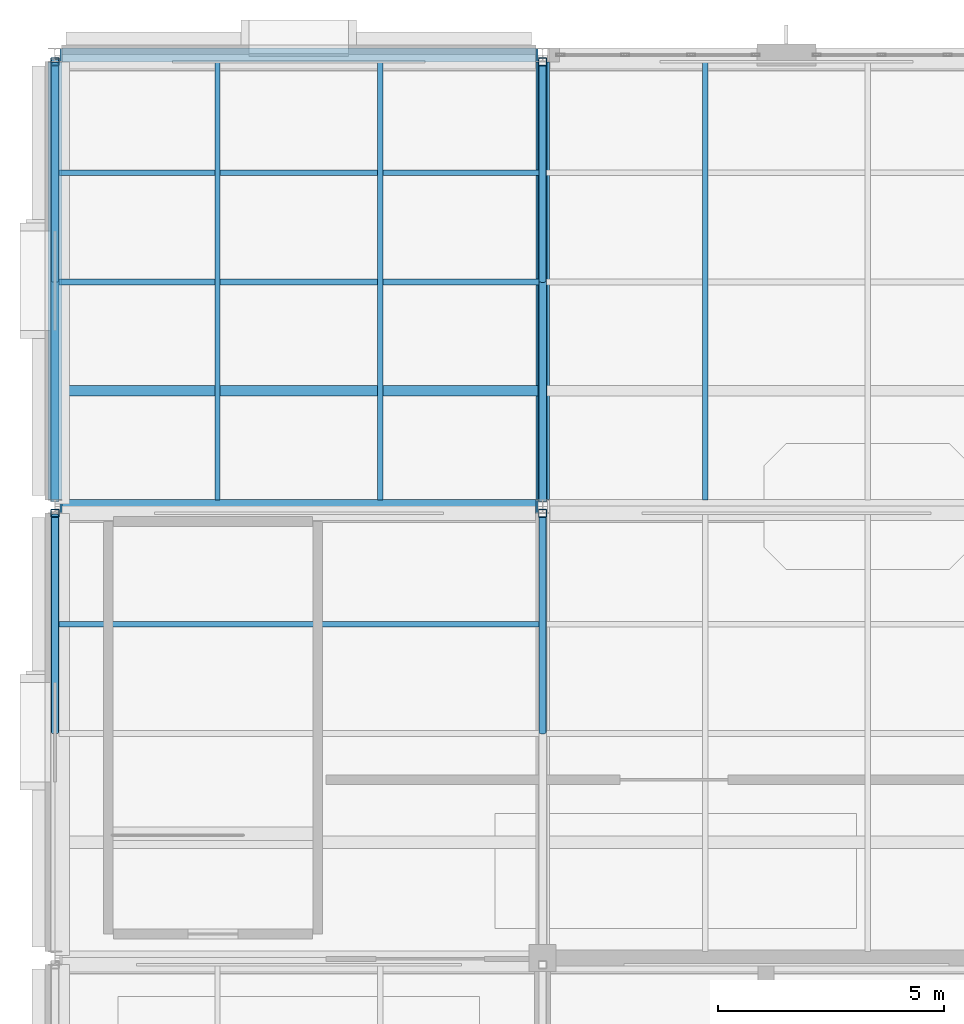
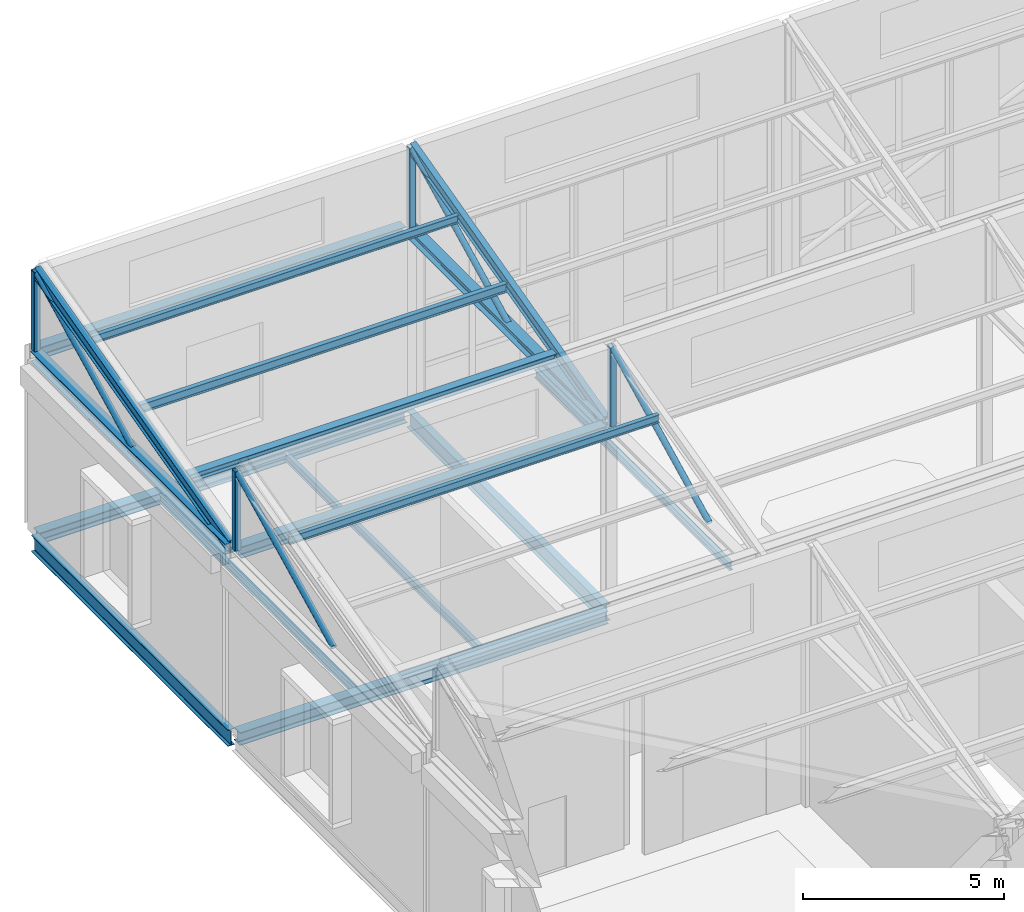
# One storey, part 10 of 49: 16 members, 9 beams.
"""IFC4 building model written with IfcOpenShell, lengths in metres."""

import ifcopenshell
import ifcopenshell.guid

model = None  # the IFC model being written
_history = None  # IfcOwnerHistory: only IFC2X3 demands one
_inside = {}  # id of a spatial element -> (the spatial element, [elements in it])
_under = {}  # id of a project, library or spatial element -> (it, [spatial elements below it])
_declared = {}  # id of a project -> (the project, [libraries it declares])
_typed = {}  # id of a type object -> (the type object, [elements of that type])
_made_of = {}  # id of a material, layer set ... -> (it, [elements and type objects made of it])


def new_model(schema):
    """Start an empty IFC model of exactly this schema.

    Asked for "IFC4X3", IfcOpenShell would pick the latest addendum, in which some entities
    have other attributes; the version numbers below select the first issue.
    IFC2X3 requires an IfcOwnerHistory on every rooted entity: one is made here for all.
    """
    global model, _history
    if schema == "IFC4X3":
        model = ifcopenshell.file(schema_version=(4, 3, 0, 0))
    else:
        model = ifcopenshell.file(schema=schema)
    _inside.clear()
    _under.clear()
    _declared.clear()
    _typed.clear()
    _made_of.clear()
    _history = None
    if model.schema == "IFC2X3":
        org = make("IfcOrganization", Name="unknown")
        user = make(
            "IfcPersonAndOrganization",
            ThePerson=make("IfcPerson", FamilyName="unknown"),
            TheOrganization=org,
        )
        app = make(
            "IfcApplication",
            ApplicationDeveloper=org,
            Version="unknown",
            ApplicationFullName="unknown",
            ApplicationIdentifier="unknown",
        )
        _history = make(
            "IfcOwnerHistory",
            OwningUser=user,
            OwningApplication=app,
            ChangeAction="ADDED",
            CreationDate=0,
        )
    return model


def make(cls, **values):
    """One entity of the class cls with the attributes given. An attribute that is None is left unset."""
    return model.create_entity(
        cls, **{name: value for name, value in values.items() if value is not None}
    )


def rooted(cls, **values):
    """An entity with a GlobalId (a new one), such as an element, a storey or a relation."""
    return make(cls, GlobalId=ifcopenshell.guid.new(), OwnerHistory=_history, **values)


def si_unit(unit_type, name, prefix=None):
    """IfcSIUnit, for example si_unit("LENGTHUNIT", "METRE", prefix="MILLI")."""
    return make("IfcSIUnit", UnitType=unit_type, Prefix=prefix, Name=name)


def assignment(units):
    """IfcUnitAssignment: the units of a project."""
    return None if units is None else make("IfcUnitAssignment", Units=units)


def point(xyz):
    """IfcCartesianPoint."""
    return None if xyz is None else make("IfcCartesianPoint", Coordinates=xyz)


def direction(xyz):
    """IfcDirection."""
    return None if xyz is None else make("IfcDirection", DirectionRatios=xyz)


def frame(location, z_axis=None, x_axis=None):
    """IfcAxis2Placement3D, a coordinate frame: its origin and axes. An axis left out is left unset."""
    return make(
        "IfcAxis2Placement3D",
        Location=point(location),
        Axis=direction(z_axis),
        RefDirection=direction(x_axis),
    )


def frame_2d(location, x_axis=None):
    """IfcAxis2Placement2D, a coordinate frame in the plane: its origin and x axis."""
    return make(
        "IfcAxis2Placement2D", Location=point(location), RefDirection=direction(x_axis)
    )


def origin():
    """The frame at (0, 0, 0) with its axes left unset."""
    return frame((0.0, 0.0, 0.0))


def origin_2d():
    """The frame at (0, 0) in the plane with its x axis left unset."""
    return frame_2d((0.0, 0.0))


def place(relative_to, where):
    """IfcLocalPlacement: puts the frame where relative to a parent placement (None: the world)."""
    return make(
        "IfcLocalPlacement", PlacementRelTo=relative_to, RelativePlacement=where
    )


def context(
    kind, dimensions, precision=None, world=None, true_north=None, identifier=None
):
    """IfcGeometricRepresentationContext, for example the 3D "Model" context."""
    return make(
        "IfcGeometricRepresentationContext",
        ContextIdentifier=identifier,
        ContextType=kind,
        CoordinateSpaceDimension=dimensions,
        Precision=precision,
        WorldCoordinateSystem=world,
        TrueNorth=true_north,
    )


def subcontext(parent, identifier, kind, view, scale=None):
    """IfcGeometricRepresentationSubContext, for example "Body" below "Model"."""
    return make(
        "IfcGeometricRepresentationSubContext",
        ContextIdentifier=identifier,
        ContextType=kind,
        ParentContext=parent,
        TargetScale=scale,
        TargetView=view,
    )


def project(units=None, contexts=None):
    """IfcProject with its units and contexts."""
    return rooted(
        "IfcProject",
        Name="project",
        RepresentationContexts=contexts,
        UnitsInContext=assignment(units),
    )


def spatial(cls, under=None, at=None, **own):
    """A site, building, storey or space (cls), placed at a placement, below another one or the project."""
    s = rooted(cls, ObjectPlacement=at, **own)
    if under is not None:
        _under.setdefault(under.id(), (under, []))[1].append(s)
    return s


def profile(cls, at=None, kind="AREA", **sizes):
    """A parametric profile (cls). Its sizes go by their IFC names, for example OverallWidth=200.0."""
    return make(cls, ProfileType=kind, Position=at, **sizes)


def hollow_rectangle(**sizes):
    """IfcRectangleHollowProfileDef."""
    return profile("IfcRectangleHollowProfileDef", **sizes)


def hollow_circle(**sizes):
    """IfcCircleHollowProfileDef."""
    return profile("IfcCircleHollowProfileDef", **sizes)


def i_section(**sizes):
    """IfcIShapeProfileDef."""
    return profile("IfcIShapeProfileDef", **sizes)


def extrude(swept, where, along, depth):
    """IfcExtrudedAreaSolid: the profile swept, set in the frame where, extruded along a direction by depth."""
    return make(
        "IfcExtrudedAreaSolid",
        SweptArea=swept,
        Position=where,
        ExtrudedDirection=direction(along),
        Depth=depth,
    )


def shape(context_of_items, identifier, shape_type, items):
    """IfcShapeRepresentation: the items that make up one representation, for example the "Body"."""
    return make(
        "IfcShapeRepresentation",
        ContextOfItems=context_of_items,
        RepresentationIdentifier=identifier,
        RepresentationType=shape_type,
        Items=items,
    )


def material(Name=None, Category=None):
    """IfcMaterial."""
    return make("IfcMaterial", Name=Name, Category=Category)


def material_profile(
    of_material, cross_section, Name=None, Category=None, Priority=None
):
    """IfcMaterialProfile: a cross section and its material."""
    return make(
        "IfcMaterialProfile",
        Name=Name,
        Material=of_material,
        Profile=cross_section,
        Priority=Priority,
        Category=Category,
    )


def profile_set(profiles, Name=None, composite=None):
    """IfcMaterialProfileSet."""
    return make(
        "IfcMaterialProfileSet",
        Name=Name,
        MaterialProfiles=profiles,
        CompositeProfile=composite,
    )


def made_of(thing, what):
    """Note that an element or type object is made of a material, layer set ...; save() writes the relation."""
    if what is not None:
        _made_of.setdefault(what.id(), (what, []))[1].append(thing)
    return thing


def type_object(cls, material=None, **own):
    """A type object (cls), such as IfcWallType, which elements share."""
    return made_of(rooted(cls, **own), material)


def element(
    cls,
    number,
    at=None,
    inside=None,
    cuts=None,
    type_object=None,
    material=None,
    context=None,
    identifier="Body",
    shape_type=None,
    held_by="IfcProductDefinitionShape",
    body=None,
    shapes=None,
    **own,
):
    """One element of the class cls, such as IfcWall. Its Tag is "e" and its number.

    at: its placement. inside: the storey or other place that contains it. cuts: it is an
    opening in that element (IfcRelVoidsElement). A single representation is given by context,
    identifier, shape_type and body (its items); several are given by shapes. held_by: the class
    of the entity that holds the representations. save() writes the other relations.
    """
    e = rooted(cls, Tag="e%d" % number, ObjectPlacement=at, **own)
    if body is not None:
        shapes = [shape(context, identifier, shape_type, body)]
    if shapes is not None:
        e.Representation = make(held_by, Representations=shapes)
    if inside is not None:
        _inside.setdefault(inside.id(), (inside, []))[1].append(e)
    if cuts is not None:
        rooted(
            "IfcRelVoidsElement", RelatingBuildingElement=cuts, RelatedOpeningElement=e
        )
    if type_object is not None:
        _typed.setdefault(type_object.id(), (type_object, []))[1].append(e)
    return made_of(e, material)


def aggregate(whole, parts):
    """IfcRelAggregates: a whole, such as a stair, and the parts it consists of."""
    return rooted("IfcRelAggregates", RelatingObject=whole, RelatedObjects=parts)


def save(model, path):
    """Write the relations noted so far, then the file.

    IfcRelAggregates (storeys below a building ...), IfcRelContainedInSpatialStructure (elements
    in a storey), IfcRelDefinesByType, IfcRelAssociatesMaterial and IfcRelDeclares: one each for
    every whole, place, type object, material and project.
    """
    for whole, parts in _under.values():
        aggregate(whole, parts)
    for where, things in _inside.values():
        rooted(
            "IfcRelContainedInSpatialStructure",
            RelatedElements=things,
            RelatingStructure=where,
        )
    for kind, things in _typed.values():
        rooted("IfcRelDefinesByType", RelatedObjects=things, RelatingType=kind)
    for what, things in _made_of.values():
        rooted("IfcRelAssociatesMaterial", RelatedObjects=things, RelatingMaterial=what)
    for by, libraries in _declared.values():
        rooted("IfcRelDeclares", RelatingContext=by, RelatedDefinitions=libraries)
    model.write(path)


model = new_model("IFC4")

# Units and contexts
model_context = context("Model", 3, precision=1e-05, world=origin(), true_north=direction((0.0, 1.0)))
body_context = subcontext(model_context, "Body", "Model", "MODEL_VIEW")
ifc_project = project(units=[si_unit("LENGTHUNIT", "METRE"), si_unit("AREAUNIT", "SQUARE_METRE"), si_unit("VOLUMEUNIT", "CUBIC_METRE"), si_unit("PLANEANGLEUNIT", "RADIAN"), si_unit("MASSUNIT", "GRAM", prefix="KILO")], contexts=[model_context])

# Site, building, storey
site_placement = place(None, origin())
site = spatial("IfcSite", under=ifc_project, at=site_placement, CompositionType="ELEMENT")
building_placement = place(site_placement, origin())
building = spatial("IfcBuilding", under=site, at=building_placement, Name="Tasgan Crest Museum", CompositionType="ELEMENT")
storey_placement = place(building_placement, frame((0.0, 0.0, 28.800048828125)))
storey = spatial("IfcBuildingStorey", under=building, at=storey_placement, Name="L05", CompositionType="ELEMENT", Elevation=28.800048828125)

# Beams
ifc_material_1 = material(Name="Steel S355J2", Category="steel")
ifc_material_profile_1 = material_profile(ifc_material_1, i_section(OverallWidth=0.300048828125, OverallDepth=0.35009765625, WebThickness=0.009521484375, FlangeThickness=0.017578125, FilletRadius=0.027099609375, at=origin_2d()), Name="HEA 360")
ifc_profile_set_1 = profile_set([ifc_material_profile_1], Name="Steel S355J2")
beam_type_1 = type_object("IfcBeamType", Name="BM-G-HEA360", PredefinedType="BEAM", material=ifc_profile_set_1)
for number, where, z_axis, x_axis, name in (
    (1, (0.14990234375, 102.0, 5.219970703125), (1.0, 0.0, 0.0), (0.0, 1.0, 0.0), "Sawtooth valley girder B3 0.0-10.8"),
    (2, (0.14990234375, 112.0, 5.219970703125), (1.0, 0.0, 0.0), (0.0, 1.0, 0.0), "Sawtooth north eave girder 0.0-10.8"),
):
    element("IfcBeam", number, at=place(storey_placement, frame(where, z_axis=z_axis, x_axis=x_axis)), inside=storey, type_object=beam_type_1, Name=name, PredefinedType="BEAM", context=body_context, shape_type="SweptSolid", body=[
        extrude(i_section(OverallWidth=0.300048828125, OverallDepth=0.35009765625, WebThickness=0.009521484375, FlangeThickness=0.017578125, FilletRadius=0.027099609375, at=origin_2d()), origin(), (0.0, 0.0, 1.0), 10.5),
    ])
ifc_material_2 = material(Name="Steel S355J2", Category="steel")
ifc_material_profile_2 = material_profile(ifc_material_2, i_section(OverallWidth=0.300048828125, OverallDepth=0.389892578125, WebThickness=0.010986328125, FlangeThickness=0.01904296875, FilletRadius=0.027099609375, at=origin_2d()), Name="HEA 400")
ifc_profile_set_2 = profile_set([ifc_material_profile_2], Name="Steel S355J2")
beam_type_2 = type_object("IfcBeamType", Name="BM-G-HEA400", PredefinedType="BEAM", material=ifc_profile_set_2)
beam_1_placement = place(storey_placement, frame((0.10595703125, 102.0, -0.43505859375), z_axis=(1.0, 0.0, 0.0), x_axis=(0.0, 1.0, 0.0)))
element("IfcBeam", 3, at=beam_1_placement, inside=storey, type_object=beam_type_2, Name="Girder L05 L 0.0-10.8", PredefinedType="BEAM", context=body_context, shape_type="SweptSolid", body=[
    extrude(i_section(OverallWidth=0.300048828125, OverallDepth=0.389892578125, WebThickness=0.010986328125, FlangeThickness=0.01904296875, FilletRadius=0.027099609375, at=origin_2d()), origin(), (0.0, 0.0, 1.0), 10.588134765625),
])
ifc_material_3 = material(Name="Steel S355J2", Category="steel")
ifc_material_profile_3 = material_profile(ifc_material_3, i_section(OverallWidth=0.300048828125, OverallDepth=0.340087890625, WebThickness=0.011962890625, FlangeThickness=0.021484375, FilletRadius=0.027099609375, at=origin_2d()), Name="HEB 340")
ifc_profile_set_3 = profile_set([ifc_material_profile_3], Name="Steel S355J2")
beam_type_3 = type_object("IfcBeamType", Name="BM-G-HEB340", PredefinedType="BEAM", material=ifc_profile_set_3)
beam_2_placement = place(storey_placement, frame((0.10595703125, 112.0, -0.41015625), z_axis=(1.0, 0.0, 0.0), x_axis=(0.0, 1.0, 0.0)))
element("IfcBeam", 4, at=beam_2_placement, inside=storey, type_object=beam_type_3, Name="Girder L05 M 0.0-10.8", PredefinedType="BEAM", context=body_context, shape_type="SweptSolid", body=[
    extrude(i_section(OverallWidth=0.300048828125, OverallDepth=0.340087890625, WebThickness=0.011962890625, FlangeThickness=0.021484375, FilletRadius=0.027099609375, at=origin_2d()), origin(), (0.0, 0.0, 1.0), 10.588134765625),
])
ifc_material_4 = material(Name="Steel S355J2", Category="steel")
ifc_material_profile_4 = material_profile(ifc_material_4, i_section(OverallWidth=0.199951171875, OverallDepth=0.5, WebThickness=0.01025390625, FlangeThickness=0.01611328125, FilletRadius=0.02099609375, at=origin_2d()), Name="IPE 500")
ifc_profile_set_4 = profile_set([ifc_material_profile_4], Name="Steel S355J2")
beam_type_4 = type_object("IfcBeamType", Name="BM-G-IPE500", PredefinedType="BEAM", material=ifc_profile_set_4)
for number, where, z_axis, x_axis, name in (
    (5, (0.0, 102.10498046875, -0.489990234375), (0.0, 1.0, 0.0), (-1.0, 0.0, 0.0), "Beam L05 1 102.0-112.0"),
    (6, (10.800048828125, 102.10498046875, -0.489990234375), (0.0, 1.0, 0.0), (-1.0, 0.0, 0.0), "Beam L05 2 102.0-112.0"),
):
    element("IfcBeam", number, at=place(storey_placement, frame(where, z_axis=z_axis, x_axis=x_axis)), inside=storey, type_object=beam_type_4, Name=name, PredefinedType="BEAM", context=body_context, shape_type="SweptSolid", body=[
        extrude(i_section(OverallWidth=0.199951171875, OverallDepth=0.5, WebThickness=0.01025390625, FlangeThickness=0.01611328125, FilletRadius=0.02099609375, at=origin_2d()), origin(), (0.0, 0.0, 1.0), 9.7900390625),
    ])
ifc_material_5 = material(Name="Steel S355J2", Category="steel")
ifc_material_profile_5 = material_profile(ifc_material_5, i_section(OverallWidth=0.1201171875, OverallDepth=0.239990234375, WebThickness=0.006103515625, FlangeThickness=0.009765625, FilletRadius=0.014892578125, at=origin_2d()), Name="IPE 240")
ifc_profile_set_5 = profile_set([ifc_material_profile_5], Name="Steel S355J2")
beam_type_5 = type_object("IfcBeamType", Name="BM-J-IPE240", PredefinedType="JOIST", material=ifc_profile_set_5)
for number, where, z_axis, x_axis, name in (
    (7, (3.60009765625, 102.14501953125, -0.360107421875), (0.0, 1.0, 0.0), (-1.0, 0.0, 0.0), "Secondary joist L05 X=3.6 Y=102.0-112.0"),
    (8, (7.199951171875, 102.14501953125, -0.360107421875), (0.0, 1.0, 0.0), (-1.0, 0.0, 0.0), "Secondary joist L05 X=7.2 Y=102.0-112.0"),
    (9, (14.39990234375, 102.14501953125, -0.360107421875), (0.0, 1.0, 0.0), (-1.0, 0.0, 0.0), "Secondary joist L05 X=14.4 Y=102.0-112.0"),
):
    element("IfcBeam", number, at=place(storey_placement, frame(where, z_axis=z_axis, x_axis=x_axis)), inside=storey, type_object=beam_type_5, Name=name, PredefinedType="JOIST", context=body_context, shape_type="SweptSolid", body=[
        extrude(i_section(OverallWidth=0.1201171875, OverallDepth=0.239990234375, WebThickness=0.006103515625, FlangeThickness=0.009765625, FilletRadius=0.014892578125, at=origin_2d()), origin(), (0.0, 0.0, 1.0), 9.7099609375),
    ])

# Members
ifc_material_6 = material(Name="Steel S355J2", Category="steel")
ifc_material_profile_6 = material_profile(ifc_material_6, i_section(OverallWidth=0.239990234375, OverallDepth=0.22998046875, WebThickness=0.007568359375, FlangeThickness=0.011962890625, FilletRadius=0.02099609375, at=origin_2d()), Name="HEA 240")
ifc_profile_set_6 = profile_set([ifc_material_profile_6], Name="Steel S355J2")
member_type_1 = type_object("IfcMemberType", Name="MEM-PUR-HEA240", PredefinedType="PURLIN", material=ifc_profile_set_6)
member_1_placement = place(storey_placement, frame((0.0849609375, 104.5625, 5.889892578125), z_axis=(1.0, 0.0, 0.0), x_axis=(0.0, 1.0, 0.0)))
element("IfcMember", 10, at=member_1_placement, inside=storey, type_object=member_type_1, Name="Sawtooth roof purlin B3 0.0-10.8 P1", PredefinedType="PURLIN", context=body_context, shape_type="SweptSolid", body=[
    extrude(i_section(OverallWidth=0.239990234375, OverallDepth=0.22998046875, WebThickness=0.007568359375, FlangeThickness=0.011962890625, FilletRadius=0.02099609375, at=origin_2d()), origin(), (0.0, 0.0, 1.0), 10.630126953125),
])
ifc_material_7 = material(Name="Steel S355J2", Category="steel")
ifc_material_profile_7 = material_profile(ifc_material_7, i_section(OverallWidth=0.1201171875, OverallDepth=0.239990234375, WebThickness=0.006103515625, FlangeThickness=0.009765625, FilletRadius=0.014892578125, at=origin_2d()), Name="IPE 240")
ifc_profile_set_7 = profile_set([ifc_material_profile_7], Name="Steel S355J2")
member_type_2 = type_object("IfcMemberType", Name="MEM-PURLIN-240", PredefinedType="PURLIN", material=ifc_profile_set_7)
for number, where, z_axis, x_axis, name in (
    (11, (0.0849609375, 99.387451171875, 7.1298828125), (1.0, 0.0, 0.0), (0.0, 1.0, 0.0), "Sawtooth roof purlin B2 0.0-10.8 P3"),
    (12, (0.0849609375, 109.387451171875, 7.1298828125), (1.0, 0.0, 0.0), (0.0, 1.0, 0.0), "Sawtooth roof purlin B3 0.0-10.8 P3"),
):
    element("IfcMember", number, at=place(storey_placement, frame(where, z_axis=z_axis, x_axis=x_axis)), inside=storey, type_object=member_type_2, Name=name, PredefinedType="PURLIN", context=body_context, shape_type="SweptSolid", body=[
        extrude(i_section(OverallWidth=0.1201171875, OverallDepth=0.239990234375, WebThickness=0.006103515625, FlangeThickness=0.009765625, FilletRadius=0.014892578125, at=origin_2d()), origin(), (0.0, 0.0, 1.0), 10.630126953125),
    ])
ifc_material_8 = material(Name="Steel S355J2", Category="steel")
ifc_material_profile_8 = material_profile(ifc_material_8, i_section(OverallWidth=0.135009765625, OverallDepth=0.27001953125, WebThickness=0.006591796875, FlangeThickness=0.01025390625, FilletRadius=0.014892578125, at=origin_2d()), Name="IPE 270")
ifc_profile_set_8 = profile_set([ifc_material_profile_8], Name="Steel S355J2")
member_type_3 = type_object("IfcMemberType", Name="MEM-PURLIN-270", PredefinedType="PURLIN", material=ifc_profile_set_8)
member_2_placement = place(storey_placement, frame((0.0849609375, 106.97509765625, 6.510009765625), z_axis=(1.0, 0.0, 0.0), x_axis=(0.0, 1.0, 0.0)))
element("IfcMember", 13, at=member_2_placement, inside=storey, type_object=member_type_3, Name="Sawtooth roof purlin B3 0.0-10.8 P2", PredefinedType="PURLIN", context=body_context, shape_type="SweptSolid", body=[
    extrude(i_section(OverallWidth=0.135009765625, OverallDepth=0.27001953125, WebThickness=0.006591796875, FlangeThickness=0.01025390625, FilletRadius=0.014892578125, at=origin_2d()), origin(), (0.0, 0.0, 1.0), 10.630126953125),
])
ifc_material_9 = material(Name="Steel S355K2", Category="steel")
ifc_material_profile_9 = material_profile(ifc_material_9, i_section(OverallWidth=0.300048828125, OverallDepth=0.31005859375, WebThickness=0.009033203125, FlangeThickness=0.015380859375, FilletRadius=0.027099609375, at=origin_2d()), Name="HEA 320")
ifc_profile_set_9 = profile_set([ifc_material_profile_9], Name="Steel S355K2")
member_type_4 = type_object("IfcMemberType", Name="TR-SAW-CHORD", PredefinedType="CHORD", material=ifc_profile_set_9)
for number, where, z_axis, x_axis, name in (
    (14, (0.0, 102.14990234375, 5.239990234375), (0.0, 1.0, 0.0), (-1.0, 0.0, 0.0), "Roof truss bottom chord B3 1"),
    (15, (10.800048828125, 102.14990234375, 5.239990234375), (0.0, 1.0, 0.0), (-1.0, 0.0, 0.0), "Roof truss bottom chord B3 2"),
):
    element("IfcMember", number, at=place(storey_placement, frame(where, z_axis=z_axis, x_axis=x_axis)), inside=storey, type_object=member_type_4, Name=name, PredefinedType="CHORD", context=body_context, shape_type="SweptSolid", body=[
        extrude(i_section(OverallWidth=0.300048828125, OverallDepth=0.31005859375, WebThickness=0.009033203125, FlangeThickness=0.015380859375, FilletRadius=0.027099609375, at=origin_2d()), origin(), (0.0, 0.0, 1.0), 9.7001953125),
    ])
ifc_material_10 = material(Name="Steel S355K2", Category="steel")
ifc_material_profile_10 = material_profile(ifc_material_10, hollow_circle(Radius=0.084228515625, WallThickness=0.008056640625, at=origin_2d()), Name="CHS 168.3x8")
ifc_profile_set_10 = profile_set([ifc_material_profile_10], Name="Steel S355K2")
member_type_5 = type_object("IfcMemberType", Name="TR-SAW-DIAG", PredefinedType="BRACE", material=ifc_profile_set_10)
for number, where, z_axis, x_axis, name in (
    (16, (0.0, 97.0, 5.349853515625), (0.0, 0.894418092416, 0.447231792205), (-1.0, 0.0, 0.0), "Roof truss diagonal B2 1"),
    (17, (10.800048828125, 97.0, 5.349853515625), (0.0, 0.894418092416, 0.447231792205), (-1.0, 0.0, 0.0), "Roof truss diagonal B2 2"),
    (18, (0.0, 107.0, 5.349853515625), (0.0, 0.894418092416, 0.447231792205), (-1.0, 0.0, 0.0), "Roof truss diagonal B3 1"),
    (19, (10.800048828125, 107.0, 5.349853515625), (0.0, 0.894418092416, 0.447231792205), (-1.0, 0.0, 0.0), "Roof truss diagonal B3 2"),
):
    element("IfcMember", number, at=place(storey_placement, frame(where, z_axis=z_axis, x_axis=x_axis)), inside=storey, type_object=member_type_5, Name=name, PredefinedType="BRACE", context=body_context, shape_type="SweptSolid", body=[
        extrude(hollow_circle(Radius=0.084228515625, WallThickness=0.008056640625, at=origin_2d()), origin(), (0.0, 0.0, 1.0), 5.36669921875),
    ])
ifc_material_11 = material(Name="Steel S355K2", Category="steel")
ifc_material_profile_11 = material_profile(ifc_material_11, hollow_rectangle(XDim=0.179931640625, YDim=0.179931640625, WallThickness=0.010009765625, InnerFilletRadius=0.010009765625, OuterFilletRadius=0.02001953125, at=origin_2d()), Name="SHS 180x180x10")
ifc_profile_set_11 = profile_set([ifc_material_profile_11], Name="Steel S355K2")
member_type_6 = type_object("IfcMemberType", Name="TR-SAW-POST", PredefinedType="POST", material=ifc_profile_set_11)
for number, where, z_axis, x_axis, name in (
    (20, (0.0, 101.85009765625, 5.389892578125), (0.0, 0.0, 1.0), (1.0, 0.0, 0.0), "Roof truss north post B2 1"),
    (21, (10.800048828125, 101.85009765625, 5.389892578125), (0.0, 0.0, 1.0), (1.0, 0.0, 0.0), "Roof truss north post B2 2"),
    (22, (0.0, 111.85009765625, 5.389892578125), (0.0, 0.0, 1.0), (1.0, 0.0, 0.0), "Roof truss north post B3 1"),
    (23, (10.800048828125, 111.85009765625, 5.389892578125), (0.0, 0.0, 1.0), (1.0, 0.0, 0.0), "Roof truss north post B3 2"),
):
    element("IfcMember", number, at=place(storey_placement, frame(where, z_axis=z_axis, x_axis=x_axis)), inside=storey, type_object=member_type_6, Name=name, PredefinedType="POST", context=body_context, shape_type="SweptSolid", body=[
        extrude(hollow_rectangle(XDim=0.179931640625, YDim=0.179931640625, WallThickness=0.010009765625, InnerFilletRadius=0.010009765625, OuterFilletRadius=0.02001953125, at=origin_2d()), origin(), (0.0, 0.0, 1.0), 2.41015625),
    ])
ifc_material_12 = material(Name="Steel S355K2", Category="steel")
ifc_material_profile_12 = material_profile(ifc_material_12, i_section(OverallWidth=0.169921875, OverallDepth=0.360107421875, WebThickness=0.008056640625, FlangeThickness=0.0126953125, FilletRadius=0.01806640625, at=origin_2d()), Name="IPE 360")
ifc_profile_set_12 = profile_set([ifc_material_profile_12], Name="Steel S355K2")
member_type_7 = type_object("IfcMemberType", Name="TR-SAW-RAFTER", PredefinedType="RAFTER", material=ifc_profile_set_12)
for number, where, z_axis, x_axis, name in (
    (24, (0.0, 102.14990234375, 5.320068359375), (0.0, 0.968528888954, 0.248901167657), (-1.0, 0.0, 0.0), "Roof truss rafter B3 1"),
    (25, (10.800048828125, 102.14990234375, 5.320068359375), (0.0, 0.968528888954, 0.248901167657), (-1.0, 0.0, 0.0), "Roof truss rafter B3 2"),
):
    element("IfcMember", number, at=place(storey_placement, frame(where, z_axis=z_axis, x_axis=x_axis)), inside=storey, type_object=member_type_7, Name=name, PredefinedType="RAFTER", context=body_context, shape_type="SweptSolid", body=[
        extrude(i_section(OverallWidth=0.169921875, OverallDepth=0.360107421875, WebThickness=0.008056640625, FlangeThickness=0.0126953125, FilletRadius=0.01806640625, at=origin_2d()), origin(), (0.0, 0.0, 1.0), 9.963623046875),
    ])

save(model, "model.ifc")
